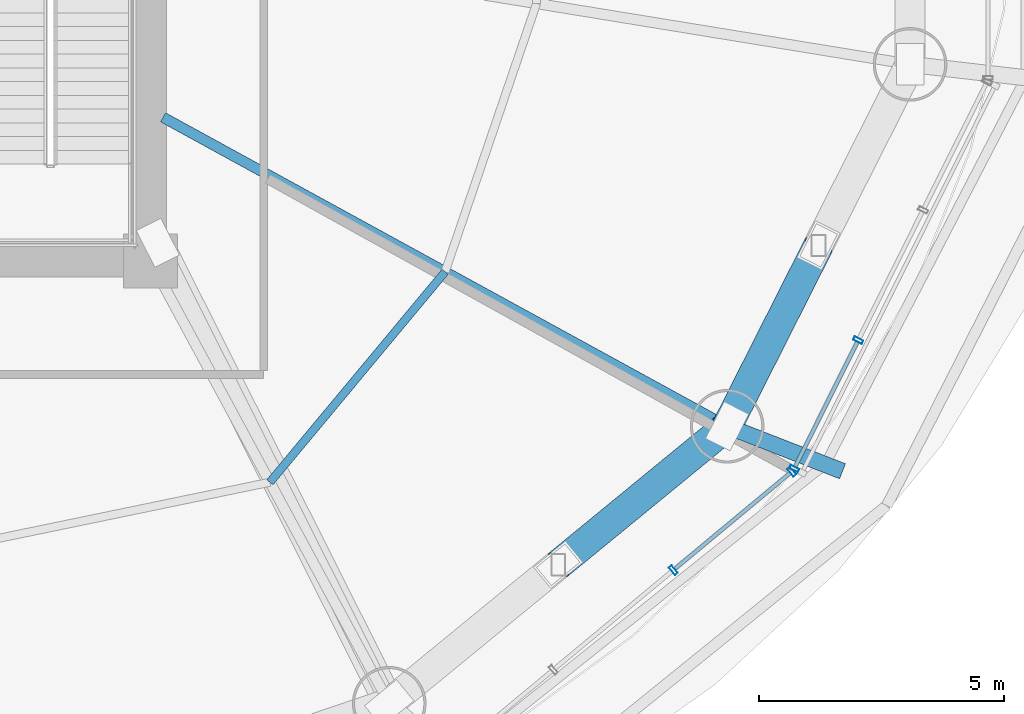
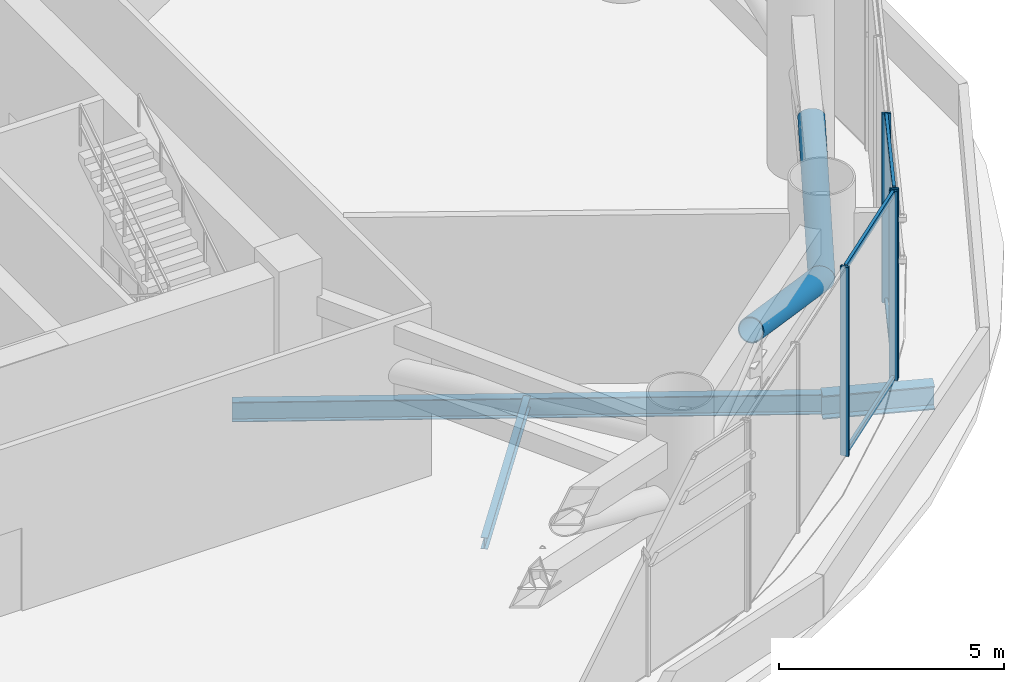
# One storey, part 14 of 33: 10 members, 3 beams, 2 elements without a shape of their own.
"""IFC4 building model written with IfcOpenShell, lengths in metres."""

from ifc_helpers import new_model, si_unit, direction, frame, origin, origin_2d, place, context, subcontext, project, spatial, hollow_rectangle, hollow_circle, i_section, extrude, source, transform, mapped, material, material_profile, profile_set, type_object, element, aggregate, save


model = new_model("IFC4")

# Units and contexts
model_context = context("Model", 3, precision=1e-05, world=origin(), true_north=direction((-0.2419218956, 0.970295726276)))
body_context = subcontext(model_context, "Body", "Model", "MODEL_VIEW")
ifc_project = project(units=[si_unit("LENGTHUNIT", "METRE"), si_unit("AREAUNIT", "SQUARE_METRE"), si_unit("VOLUMEUNIT", "CUBIC_METRE"), si_unit("PLANEANGLEUNIT", "RADIAN"), si_unit("MASSUNIT", "GRAM", prefix="KILO")], contexts=[model_context])

# Site, building, storey
site_placement = place(None, origin())
site = spatial("IfcSite", under=ifc_project, at=site_placement, CompositionType="ELEMENT")
building_placement = place(site_placement, origin())
building = spatial("IfcBuilding", under=site, at=building_placement, Name="Cobrevalo Terracotta Tower", CompositionType="ELEMENT")
storey_placement = place(building_placement, frame((0.0, 0.0, 74.39990234375)))
storey = spatial("IfcBuildingStorey", under=building, at=storey_placement, Name="L19", CompositionType="ELEMENT", Elevation=74.39990234375)

# Beams
ifc_material_1 = material(Name="Steel S355", Category="steel")
ifc_material_profile_1 = material_profile(ifc_material_1, i_section(OverallWidth=0.2109375, OverallDepth=0.5390625, WebThickness=0.01171875, FlangeThickness=0.018798828125, at=origin_2d()), Name="W 530x109")
ifc_profile_set_1 = profile_set([ifc_material_profile_1], Name="Steel S355")
beam_type_1 = type_object("IfcBeamType", Name="Structural Beam W 530x109 (Steel S355)", PredefinedType="BEAM", material=ifc_profile_set_1)
beam_1_placement = place(storey_placement, frame((58.7451171875, 15.4384765625, -0.719482421875), z_axis=(-0.877073835693, 0.480355583648, 0.0), x_axis=(-0.480355583648, -0.877073835693, 0.0)))
element("IfcBeam", 1, at=beam_1_placement, inside=storey, type_object=beam_type_1, Name="L19 radial floor girder 15", PredefinedType="BEAM", context=body_context, shape_type="SweptSolid", body=[
    extrude(i_section(OverallWidth=0.2109375, OverallDepth=0.5390625, WebThickness=0.01171875, FlangeThickness=0.018798828125, at=origin_2d()), origin(), (0.0, 0.0, 1.0), 13.1005859375),
])
ifc_material_profile_2 = material_profile(ifc_material_1, i_section(OverallWidth=0.3291015625, OverallDepth=0.635009765625, WebThickness=0.017822265625, FlangeThickness=0.031005859375, at=origin_2d()), Name="W 610x241")
ifc_profile_set_2 = profile_set([ifc_material_profile_2], Name="Steel S355")
beam_type_2 = type_object("IfcBeamType", Name="Structural Beam W 610x241 (Steel S355)", PredefinedType="BEAM", material=ifc_profile_set_2)
beam_2_placement = place(storey_placement, frame((61.0947265625, 14.522705078125, -0.767333984375), z_axis=(-0.931731877135, 0.363146952528, 0.0), x_axis=(-0.363146952528, -0.931731877135, 0.0)))
element("IfcBeam", 2, at=beam_2_placement, inside=storey, type_object=beam_type_2, Name="L19 setback step-link girder 15", PredefinedType="BEAM", context=body_context, shape_type="SweptSolid", body=[
    extrude(i_section(OverallWidth=0.3291015625, OverallDepth=0.635009765625, WebThickness=0.017822265625, FlangeThickness=0.031005859375, at=origin_2d()), origin(), (0.0, 0.0, 1.0), 2.521728515625),
])
ifc_material_profile_3 = material_profile(ifc_material_1, i_section(OverallWidth=0.1650390625, OverallDepth=0.31005859375, WebThickness=0.005859375, FlangeThickness=0.009765625, at=origin_2d()), Name="W 310x38.7")
ifc_profile_set_3 = profile_set([ifc_material_profile_3], Name="Steel S355")
beam_type_3 = type_object("IfcBeamType", Name="Structural Joist W 310x38.7 (Steel S355)", PredefinedType="JOIST", material=ifc_profile_set_3)
beam_3_placement = place(storey_placement, frame((49.4306640625, 14.29833984375, -0.60498046875), z_axis=(0.639882999398, 0.768472346335, 0.0), x_axis=(-0.768472346335, 0.639882999398, 0.0)))
element("IfcBeam", 3, at=beam_3_placement, inside=storey, type_object=beam_type_3, Name="L19 circumferential secondary floor joist 14", PredefinedType="JOIST", context=body_context, shape_type="SweptSolid", body=[
    extrude(i_section(OverallWidth=0.1650390625, OverallDepth=0.31005859375, WebThickness=0.005859375, FlangeThickness=0.009765625, at=origin_2d()), origin(), (0.0, 0.0, 1.0), 5.578125),
])

# Members
ifc_material_profile_4 = material_profile(ifc_material_1, hollow_circle(Radius=0.304931640625, WallThickness=0.02490234375, at=origin_2d()), Name="CHS 610x25")
ifc_profile_set_4 = profile_set([ifc_material_profile_4], Name="Steel S355")
member_type_1 = type_object("IfcMemberType", Name="Steel Brace CHS 610x25 (Steel S355)", PredefinedType="BRACE", material=ifc_profile_set_4)
shared_shape_1 = source(origin(), body_context, "Body", "SweptSolid", [
    extrude(hollow_circle(Radius=0.304931640625, WallThickness=0.02490234375, at=origin_2d()), origin(), (0.0, 0.0, 1.0), 4.39208984375),
])
member_1_placement = place(storey_placement, frame((58.7451171875, 15.4384765625, 2.650146484375), z_axis=(0.424113025745, 0.839221292622, 0.340346534291), x_axis=(-0.892503693554, 0.451040083575, 0.0)))
element("IfcMember", 4, at=member_1_placement, inside=storey, type_object=member_type_1, Name="L19 belt truss diagonal brace 15-D1", PredefinedType="BRACE", context=body_context, shape_type="MappedRepresentation", body=[
    mapped(shared_shape_1, transform((0.0, 0.0, 0.0), scale=1.0)),
])
shared_shape_2 = source(origin(), body_context, "Body", "SweptSolid", [
    extrude(hollow_circle(Radius=0.304931640625, WallThickness=0.02490234375, at=origin_2d()), origin(), (0.0, 0.0, 1.0), 4.694580078125),
])
member_2_placement = place(storey_placement, frame((58.7451171875, 15.4384765625, 2.650146484375), z_axis=(-0.733155205541, -0.600908526034, 0.318421713969), x_axis=(0.633903747879, -0.773411946136, 0.0)))
element("IfcMember", 5, at=member_2_placement, inside=storey, type_object=member_type_1, Name="L19 belt truss diagonal brace 14-D2", PredefinedType="BRACE", context=body_context, shape_type="MappedRepresentation", body=[
    mapped(shared_shape_2, transform((0.0, 0.0, 0.0), scale=1.0)),
])

# Curtain wall, members
ifc_material_2 = material(Name="Anodized aluminium", Category="aluminium")
curtain_wall_type = type_object("IfcCurtainWallType", Name="Belt-truss plant acoustic weather-louvre curtain wall CW-LV", PredefinedType="NOTDEFINED", material=ifc_material_2)
curtain_wall_1_placement = place(storey_placement, origin())
curtain_wall_1 = element("IfcCurtainWall", 6, at=curtain_wall_1_placement, inside=storey, type_object=curtain_wall_type, Name="L19 curtain wall CW-LV-L19-S14", PredefinedType="NOTDEFINED")
ifc_material_profile_5 = material_profile(ifc_material_2, hollow_rectangle(XDim=0.074951171875, YDim=0.199951171875, WallThickness=0.0048828125, at=origin_2d()), Name="CWM 75x200")
ifc_profile_set_5 = profile_set([ifc_material_profile_5], Name="Anodized aluminium")
member_type_2 = type_object("IfcMemberType", Name="Lower/mid tower unitised mullion 75x200", PredefinedType="MULLION", material=ifc_profile_set_5)
shared_shape_3 = source(origin(), body_context, "Body", "SweptSolid", [
    extrude(hollow_rectangle(XDim=0.074951171875, YDim=0.199951171875, WallThickness=0.0048828125, at=origin_2d()), origin(), (0.0, 0.0, 1.0), 5.125),
])
member_3_placement = place(storey_placement, frame((57.648681640625, 12.5087890625, 0.0), z_axis=(0.0, 0.0, 1.0), x_axis=(0.769243451658, 0.638955798222, 0.0)))
member_3 = element("IfcMember", 7, at=member_3_placement, type_object=member_type_2, Name="CW-LV-L19-S14 vertical mullion 03", PredefinedType="MULLION", context=body_context, shape_type="MappedRepresentation", body=[
    mapped(shared_shape_3, transform((0.0, 0.0, 0.0), scale=1.0)),
])
member_4_placement = place(storey_placement, frame((60.061279296875, 14.512939453125, 0.0), z_axis=(0.0, 0.0, 1.0), x_axis=(0.769243451658, 0.638955798222, 0.0)))
member_4 = element("IfcMember", 8, at=member_4_placement, type_object=member_type_2, Name="CW-LV-L19-S14 vertical mullion 04", PredefinedType="MULLION", context=body_context, shape_type="MappedRepresentation", body=[
    mapped(shared_shape_3, transform((0.0, 0.0, 0.0), scale=1.0)),
])

curtain_wall_2_placement = place(storey_placement, origin())
curtain_wall_2 = element("IfcCurtainWall", 9, at=curtain_wall_2_placement, inside=storey, type_object=curtain_wall_type, Name="L19 curtain wall CW-LV-L19-S15", PredefinedType="NOTDEFINED")
member_5_placement = place(storey_placement, frame((60.110107421875, 14.574462890625, 0.0), z_axis=(0.0, 0.0, 1.0), x_axis=(0.446260290227, 0.894903208937, 0.0)))
member_5 = element("IfcMember", 10, at=member_5_placement, type_object=member_type_2, Name="CW-LV-L19-S15 vertical mullion 01", PredefinedType="MULLION", context=body_context, shape_type="MappedRepresentation", body=[
    mapped(shared_shape_3, transform((0.0, 0.0, 0.0), scale=1.0)),
])
member_6_placement = place(storey_placement, frame((61.41455078125, 17.1904296875, 0.0), z_axis=(0.0, 0.0, 1.0), x_axis=(0.446260290227, 0.894903208937, 0.0)))
member_6 = element("IfcMember", 11, at=member_6_placement, type_object=member_type_2, Name="CW-LV-L19-S15 vertical mullion 02", PredefinedType="MULLION", context=body_context, shape_type="MappedRepresentation", body=[
    mapped(shared_shape_3, transform((0.0, 0.0, 0.0), scale=1.0)),
])

# Member
ifc_material_profile_6 = material_profile(ifc_material_2, hollow_rectangle(XDim=0.074951171875, YDim=0.14990234375, WallThickness=0.00439453125, at=origin_2d()), Name="CWT 75x150")
ifc_profile_set_6 = profile_set([ifc_material_profile_6], Name="Anodized aluminium")
member_type_3 = type_object("IfcMemberType", Name="Tower unitised aluminium transom 75x150", PredefinedType="USERDEFINED", material=ifc_profile_set_6)
shared_shape_4 = source(origin(), body_context, "Body", "SweptSolid", [
    extrude(hollow_rectangle(XDim=0.074951171875, YDim=0.14990234375, WallThickness=0.00439453125, at=origin_2d()), origin(), (0.0, 0.0, 1.0), 3.056396484375),
])
member_7_placement = place(storey_placement, frame((57.679443359375, 12.534423828125, 0.050048828125), z_axis=(0.769202453253, 0.639005153273, 0.0), x_axis=(-0.639005153273, 0.769202453253, 0.0)))
member_7 = element("IfcMember", 12, at=member_7_placement, type_object=member_type_3, Name="CW-LV-L19-S14 transom B03-T1", ObjectType="TRANSOM", PredefinedType="USERDEFINED", context=body_context, shape_type="MappedRepresentation", body=[
    mapped(shared_shape_4, transform((0.0, 0.0, 0.0), scale=1.0)),
])

member_8_placement = place(storey_placement, frame((57.679443359375, 12.534423828125, 5.0751953125), z_axis=(0.769202453253, 0.639005153273, 0.0), x_axis=(-0.639005153273, 0.769202453253, 0.0)))
member_8 = element("IfcMember", 13, at=member_8_placement, type_object=member_type_3, Name="CW-LV-L19-S14 transom B03-T2", ObjectType="TRANSOM", PredefinedType="USERDEFINED", context=body_context, shape_type="MappedRepresentation", body=[
    mapped(shared_shape_4, transform((0.0, 0.0, 0.0), scale=1.0)),
])

aggregate(curtain_wall_1, [member_3, member_4, member_7, member_8])

shared_shape_5 = source(origin(), body_context, "Body", "SweptSolid", [
    extrude(hollow_rectangle(XDim=0.074951171875, YDim=0.14990234375, WallThickness=0.00439453125, at=origin_2d()), origin(), (0.0, 0.0, 1.0), 2.843505859375),
])
member_9_placement = place(storey_placement, frame((60.1279296875, 14.610107421875, 0.050048828125), z_axis=(0.446217335725, 0.894924627719, 0.0), x_axis=(-0.894924627719, 0.446217335725, 0.0)))
member_9 = element("IfcMember", 14, at=member_9_placement, type_object=member_type_3, Name="CW-LV-L19-S15 transom B01-T1", ObjectType="TRANSOM", PredefinedType="USERDEFINED", context=body_context, shape_type="MappedRepresentation", body=[
    mapped(shared_shape_5, transform((0.0, 0.0, 0.0), scale=1.0)),
])

member_10_placement = place(storey_placement, frame((60.1279296875, 14.610107421875, 5.0751953125), z_axis=(0.446217335725, 0.894924627719, 0.0), x_axis=(-0.894924627719, 0.446217335725, 0.0)))
member_10 = element("IfcMember", 15, at=member_10_placement, type_object=member_type_3, Name="CW-LV-L19-S15 transom B01-T2", ObjectType="TRANSOM", PredefinedType="USERDEFINED", context=body_context, shape_type="MappedRepresentation", body=[
    mapped(shared_shape_5, transform((0.0, 0.0, 0.0), scale=1.0)),
])

aggregate(curtain_wall_2, [member_5, member_6, member_9, member_10])

save(model, "model.ifc")
